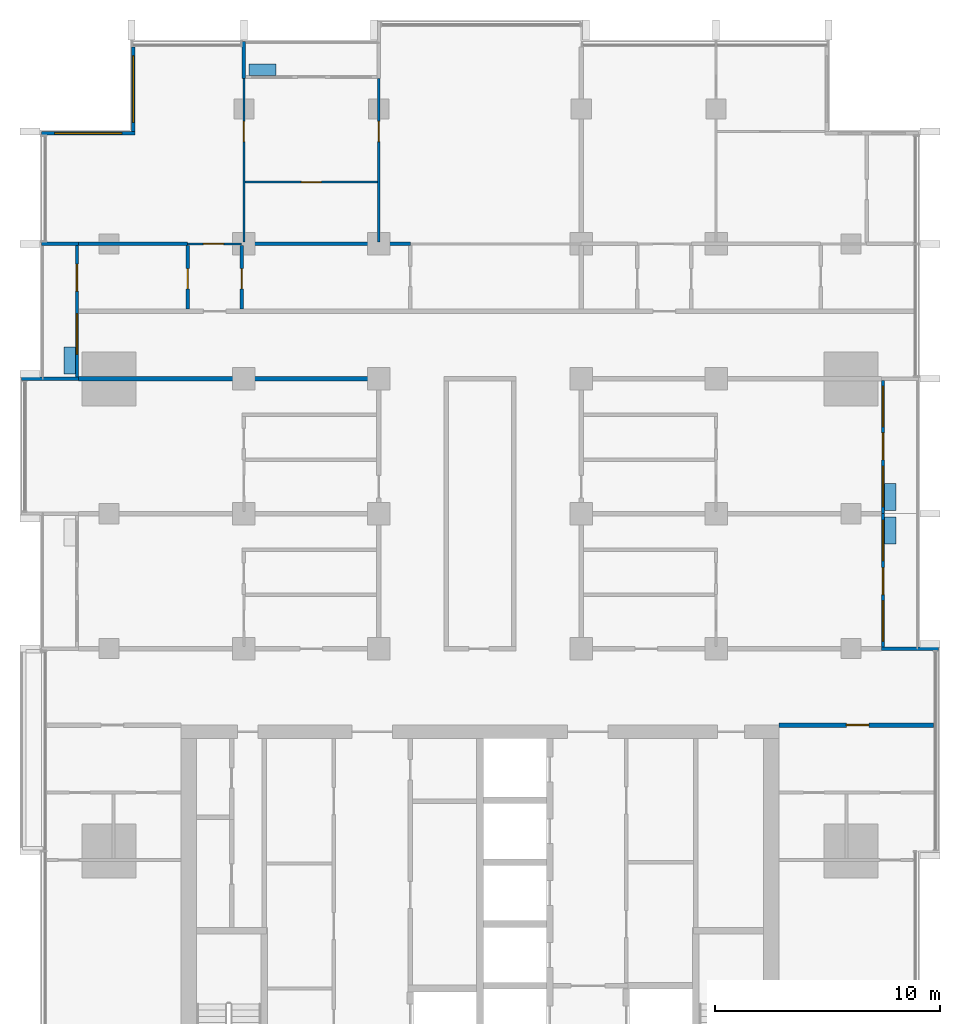
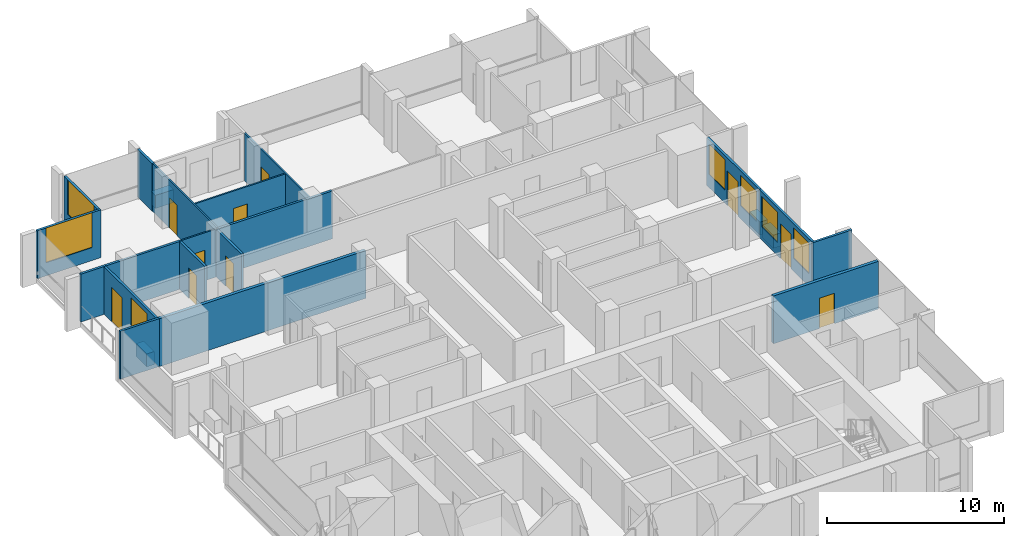
# One storey, part 10 of 17: 23 walls, 10 doors, 7 windows, 17 openings.
"""IFC4 building model written with IfcOpenShell, lengths in metres."""

import ifcopenshell
import ifcopenshell.guid

model = None  # the IFC model being written
_history = None  # IfcOwnerHistory: only IFC2X3 demands one
_inside = {}  # id of a spatial element -> (the spatial element, [elements in it])
_under = {}  # id of a project, library or spatial element -> (it, [spatial elements below it])
_declared = {}  # id of a project -> (the project, [libraries it declares])
_typed = {}  # id of a type object -> (the type object, [elements of that type])
_made_of = {}  # id of a material, layer set ... -> (it, [elements and type objects made of it])


def new_model(schema):
    """Start an empty IFC model of exactly this schema.

    Asked for "IFC4X3", IfcOpenShell would pick the latest addendum, in which some entities
    have other attributes; the version numbers below select the first issue.
    IFC2X3 requires an IfcOwnerHistory on every rooted entity: one is made here for all.
    """
    global model, _history
    if schema == "IFC4X3":
        model = ifcopenshell.file(schema_version=(4, 3, 0, 0))
    else:
        model = ifcopenshell.file(schema=schema)
    _inside.clear()
    _under.clear()
    _declared.clear()
    _typed.clear()
    _made_of.clear()
    _history = None
    if model.schema == "IFC2X3":
        org = make("IfcOrganization", Name="unknown")
        user = make(
            "IfcPersonAndOrganization",
            ThePerson=make("IfcPerson", FamilyName="unknown"),
            TheOrganization=org,
        )
        app = make(
            "IfcApplication",
            ApplicationDeveloper=org,
            Version="unknown",
            ApplicationFullName="unknown",
            ApplicationIdentifier="unknown",
        )
        _history = make(
            "IfcOwnerHistory",
            OwningUser=user,
            OwningApplication=app,
            ChangeAction="ADDED",
            CreationDate=0,
        )
    return model


def make(cls, **values):
    """One entity of the class cls with the attributes given. An attribute that is None is left unset."""
    return model.create_entity(
        cls, **{name: value for name, value in values.items() if value is not None}
    )


def rooted(cls, **values):
    """An entity with a GlobalId (a new one), such as an element, a storey or a relation."""
    return make(cls, GlobalId=ifcopenshell.guid.new(), OwnerHistory=_history, **values)


def si_unit(unit_type, name, prefix=None):
    """IfcSIUnit, for example si_unit("LENGTHUNIT", "METRE", prefix="MILLI")."""
    return make("IfcSIUnit", UnitType=unit_type, Prefix=prefix, Name=name)


def assignment(units):
    """IfcUnitAssignment: the units of a project."""
    return None if units is None else make("IfcUnitAssignment", Units=units)


def point(xyz):
    """IfcCartesianPoint."""
    return None if xyz is None else make("IfcCartesianPoint", Coordinates=xyz)


def direction(xyz):
    """IfcDirection."""
    return None if xyz is None else make("IfcDirection", DirectionRatios=xyz)


def frame(location, z_axis=None, x_axis=None):
    """IfcAxis2Placement3D, a coordinate frame: its origin and axes. An axis left out is left unset."""
    return make(
        "IfcAxis2Placement3D",
        Location=point(location),
        Axis=direction(z_axis),
        RefDirection=direction(x_axis),
    )


def frame_2d(location, x_axis=None):
    """IfcAxis2Placement2D, a coordinate frame in the plane: its origin and x axis."""
    return make(
        "IfcAxis2Placement2D", Location=point(location), RefDirection=direction(x_axis)
    )


def origin():
    """The frame at (0, 0, 0) with its axes left unset."""
    return frame((0.0, 0.0, 0.0))


def place(relative_to, where):
    """IfcLocalPlacement: puts the frame where relative to a parent placement (None: the world)."""
    return make(
        "IfcLocalPlacement", PlacementRelTo=relative_to, RelativePlacement=where
    )


def context(
    kind, dimensions, precision=None, world=None, true_north=None, identifier=None
):
    """IfcGeometricRepresentationContext, for example the 3D "Model" context."""
    return make(
        "IfcGeometricRepresentationContext",
        ContextIdentifier=identifier,
        ContextType=kind,
        CoordinateSpaceDimension=dimensions,
        Precision=precision,
        WorldCoordinateSystem=world,
        TrueNorth=true_north,
    )


def subcontext(parent, identifier, kind, view, scale=None):
    """IfcGeometricRepresentationSubContext, for example "Body" below "Model"."""
    return make(
        "IfcGeometricRepresentationSubContext",
        ContextIdentifier=identifier,
        ContextType=kind,
        ParentContext=parent,
        TargetScale=scale,
        TargetView=view,
    )


def project(units=None, contexts=None):
    """IfcProject with its units and contexts."""
    return rooted(
        "IfcProject",
        Name="project",
        RepresentationContexts=contexts,
        UnitsInContext=assignment(units),
    )


def spatial(cls, under=None, at=None, **own):
    """A site, building, storey or space (cls), placed at a placement, below another one or the project."""
    s = rooted(cls, ObjectPlacement=at, **own)
    if under is not None:
        _under.setdefault(under.id(), (under, []))[1].append(s)
    return s


def profile(cls, at=None, kind="AREA", **sizes):
    """A parametric profile (cls). Its sizes go by their IFC names, for example OverallWidth=200.0."""
    return make(cls, ProfileType=kind, Position=at, **sizes)


def rectangle(**sizes):
    """IfcRectangleProfileDef."""
    return profile("IfcRectangleProfileDef", **sizes)


def extrude(swept, where, along, depth):
    """IfcExtrudedAreaSolid: the profile swept, set in the frame where, extruded along a direction by depth."""
    return make(
        "IfcExtrudedAreaSolid",
        SweptArea=swept,
        Position=where,
        ExtrudedDirection=direction(along),
        Depth=depth,
    )


def shape(context_of_items, identifier, shape_type, items):
    """IfcShapeRepresentation: the items that make up one representation, for example the "Body"."""
    return make(
        "IfcShapeRepresentation",
        ContextOfItems=context_of_items,
        RepresentationIdentifier=identifier,
        RepresentationType=shape_type,
        Items=items,
    )


def material(Name=None, Category=None):
    """IfcMaterial."""
    return make("IfcMaterial", Name=Name, Category=Category)


def layer(
    of_material, thickness, ventilated=None, Name=None, Category=None, Priority=None
):
    """IfcMaterialLayer: one layer of a wall or slab, of a material (None: an air gap)."""
    return make(
        "IfcMaterialLayer",
        Material=of_material,
        LayerThickness=thickness,
        IsVentilated=ventilated,
        Name=Name,
        Category=Category,
        Priority=Priority,
    )


def layer_set(layers, Name=None):
    """IfcMaterialLayerSet."""
    return make("IfcMaterialLayerSet", MaterialLayers=layers, LayerSetName=Name)


def made_of(thing, what):
    """Note that an element or type object is made of a material, layer set ...; save() writes the relation."""
    if what is not None:
        _made_of.setdefault(what.id(), (what, []))[1].append(thing)
    return thing


def type_object(cls, material=None, **own):
    """A type object (cls), such as IfcWallType, which elements share."""
    return made_of(rooted(cls, **own), material)


def element(
    cls,
    number,
    at=None,
    inside=None,
    cuts=None,
    type_object=None,
    material=None,
    context=None,
    identifier="Body",
    shape_type=None,
    held_by="IfcProductDefinitionShape",
    body=None,
    shapes=None,
    **own,
):
    """One element of the class cls, such as IfcWall. Its Tag is "e" and its number.

    at: its placement. inside: the storey or other place that contains it. cuts: it is an
    opening in that element (IfcRelVoidsElement). A single representation is given by context,
    identifier, shape_type and body (its items); several are given by shapes. held_by: the class
    of the entity that holds the representations. save() writes the other relations.
    """
    e = rooted(cls, Tag="e%d" % number, ObjectPlacement=at, **own)
    if body is not None:
        shapes = [shape(context, identifier, shape_type, body)]
    if shapes is not None:
        e.Representation = make(held_by, Representations=shapes)
    if inside is not None:
        _inside.setdefault(inside.id(), (inside, []))[1].append(e)
    if cuts is not None:
        rooted(
            "IfcRelVoidsElement", RelatingBuildingElement=cuts, RelatedOpeningElement=e
        )
    if type_object is not None:
        _typed.setdefault(type_object.id(), (type_object, []))[1].append(e)
    return made_of(e, material)


def fill(opening, filler):
    """IfcRelFillsElement: the door or window that sits in an opening."""
    return rooted(
        "IfcRelFillsElement",
        RelatingOpeningElement=opening,
        RelatedBuildingElement=filler,
    )


def aggregate(whole, parts):
    """IfcRelAggregates: a whole, such as a stair, and the parts it consists of."""
    return rooted("IfcRelAggregates", RelatingObject=whole, RelatedObjects=parts)


def save(model, path):
    """Write the relations noted so far, then the file.

    IfcRelAggregates (storeys below a building ...), IfcRelContainedInSpatialStructure (elements
    in a storey), IfcRelDefinesByType, IfcRelAssociatesMaterial and IfcRelDeclares: one each for
    every whole, place, type object, material and project.
    """
    for whole, parts in _under.values():
        aggregate(whole, parts)
    for where, things in _inside.values():
        rooted(
            "IfcRelContainedInSpatialStructure",
            RelatedElements=things,
            RelatingStructure=where,
        )
    for kind, things in _typed.values():
        rooted("IfcRelDefinesByType", RelatedObjects=things, RelatingType=kind)
    for what, things in _made_of.values():
        rooted("IfcRelAssociatesMaterial", RelatedObjects=things, RelatingMaterial=what)
    for by, libraries in _declared.values():
        rooted("IfcRelDeclares", RelatingContext=by, RelatedDefinitions=libraries)
    model.write(path)


model = new_model("IFC4")

# Units and contexts
model_context = context("Model", 3, precision=1e-05, world=origin(), true_north=direction((0.0, 1.0)))
body_context = subcontext(model_context, "Body", "Model", "MODEL_VIEW")
ifc_project = project(units=[si_unit("LENGTHUNIT", "METRE"), si_unit("AREAUNIT", "SQUARE_METRE"), si_unit("VOLUMEUNIT", "CUBIC_METRE"), si_unit("PLANEANGLEUNIT", "RADIAN"), si_unit("MASSUNIT", "GRAM", prefix="KILO")], contexts=[model_context])

# Site, building, storey
site_placement = place(None, origin())
site = spatial("IfcSite", under=ifc_project, at=site_placement, CompositionType="ELEMENT")
building_placement = place(site_placement, origin())
building = spatial("IfcBuilding", under=site, at=building_placement, Name="Finial Court Residences", CompositionType="ELEMENT")
storey_placement = place(building_placement, frame((0.0, 0.0, 167.300048828125)))
storey = spatial("IfcBuildingStorey", under=building, at=storey_placement, Name="L41", CompositionType="ELEMENT", Elevation=167.300048828125)

# Wall, opening, door
ifc_material_1 = material(Name="Gypsum board")
ifc_layer_1 = layer(ifc_material_1, 0.02490234375)
ifc_material_2 = material(Name="Acoustic mineral wool in double frame")
ifc_layer_2 = layer(ifc_material_2, 0.14990234375)
ifc_layer_3 = layer(ifc_material_1, 0.02490234375)
ifc_layer_set_1 = layer_set([ifc_layer_1, ifc_layer_2, ifc_layer_3], Name="Corridor wall 200, 1 hour")
wall_type_1 = type_object("IfcWallType", Name="Corridor wall 200, 1 hour", PredefinedType="PARTITIONING", material=ifc_layer_set_1)
wall_1_placement = place(storey_placement, frame((13.300048828125, -7.89990234375, 0.0), z_axis=(0.0, 0.0, 1.0), x_axis=(1.0, 0.0, 0.0)))
wall_1 = element("IfcWall", 1, at=wall_1_placement, inside=storey, type_object=wall_type_1, Name="Partition L41-005", PredefinedType="PARTITIONING", context=body_context, shape_type="SweptSolid", body=[
    extrude(rectangle(XDim=6.862548828125, YDim=0.199951171875, at=frame_2d((3.43115234375, 0.0))), origin(), (0.0, 0.0, 1.0), 3.300048828125),
])
opening_1_placement = place(wall_1_placement, frame((3.0, 0.0, 0.0)))
opening_1 = element("IfcOpeningElement", 2, at=opening_1_placement, cuts=wall_1, Name="Opening L41-D008", PredefinedType="OPENING", context=body_context, shape_type="SweptSolid", body=[
    extrude(rectangle(XDim=1.0, YDim=2.10009765625, at=frame_2d((0.5, 1.050048828125))), frame((0.0, 0.10986328125, 0.0), z_axis=(0.0, -1.0, 0.0), x_axis=(1.0, 0.0, 0.0)), (0.0, 0.0, 1.0), 0.219970703125),
])
ifc_material_3 = material(Name="Timber door leaf in hollow metal frame", Category="wood")
door_type_1 = type_object("IfcDoorType", Name="Fire door set 1000 x 2100, 30 minutes", OperationType="SINGLE_SWING_LEFT", PredefinedType="DOOR", material=ifc_material_3)
door_1_placement = place(opening_1_placement, origin())
door_1 = element("IfcDoor", 3, at=door_1_placement, inside=storey, type_object=door_type_1, Name="Door L41-D008", OperationType="SINGLE_SWING_RIGHT", OverallHeight=2.10009765625, OverallWidth=1.0, PredefinedType="DOOR", context=body_context, shape_type="SweptSolid", body=[
    extrude(rectangle(XDim=1.0, YDim=2.10009765625, at=frame_2d((0.5, 1.050048828125))), frame((0.0, 0.02490234375, 0.0), z_axis=(0.0, -1.0, 0.0), x_axis=(1.0, 0.0, 0.0)), (0.0, 0.0, 1.0), 0.050048828125),
])
fill(opening_1, door_1)

# Wall
wall_2_placement = place(storey_placement, frame((-17.85009765625, 7.5, 0.0), z_axis=(0.0, 0.0, 1.0), x_axis=(1.0, 0.0, 0.0)))
element("IfcWall", 4, at=wall_2_placement, inside=storey, type_object=wall_type_1, Name="Partition L41-019", PredefinedType="PARTITIONING", context=body_context, shape_type="SweptSolid", body=[
    extrude(rectangle(XDim=13.4501953125, YDim=0.199951171875, at=frame_2d((6.72509765625, 0.0))), origin(), (0.0, 0.0, 1.0), 3.300048828125),
])

# Wall, opening, door
ifc_layer_4 = layer(ifc_material_1, 0.012451171875)
ifc_material_4 = material(Name="Mineral wool in light-gauge frame")
ifc_layer_5 = layer(ifc_material_4, 0.074951171875)
ifc_layer_6 = layer(ifc_material_1, 0.012451171875)
ifc_layer_set_2 = layer_set([ifc_layer_4, ifc_layer_5, ifc_layer_6], Name="Gypsum board partition 100")
wall_type_2 = type_object("IfcWallType", Name="Gypsum board partition 100", PredefinedType="PARTITIONING", material=ifc_layer_set_2)
wall_3_placement = place(storey_placement, frame((-13.0, 13.5, 0.0), z_axis=(0.0, 0.0, 1.0), x_axis=(1.0, 0.0, 0.0)))
wall_3 = element("IfcWall", 5, at=wall_3_placement, inside=storey, type_object=wall_type_2, Name="Partition L41-023", PredefinedType="PARTITIONING", context=body_context, shape_type="SweptSolid", body=[
    extrude(rectangle(XDim=2.39990234375, YDim=0.10009765625, at=frame_2d((1.199951171875, 0.0))), origin(), (0.0, 0.0, 1.0), 3.300048828125),
])
opening_2_placement = place(wall_3_placement, frame((0.699951171875, 0.0, 0.0)))
opening_2 = element("IfcOpeningElement", 6, at=opening_2_placement, cuts=wall_3, Name="Opening L41-D014", PredefinedType="OPENING", context=body_context, shape_type="SweptSolid", body=[
    extrude(rectangle(XDim=0.89990234375, YDim=2.10009765625, at=frame_2d((0.449951171875, 1.050048828125))), frame((0.0, 0.06005859375, 0.0), z_axis=(0.0, -1.0, 0.0), x_axis=(1.0, 0.0, 0.0)), (0.0, 0.0, 1.0), 0.1201171875),
])
ifc_material_5 = material(Name="Timber door leaf in timber frame", Category="wood")
door_type_2 = type_object("IfcDoorType", Name="Door set 900 x 2100", OperationType="SINGLE_SWING_LEFT", PredefinedType="DOOR", material=ifc_material_5)
door_2_placement = place(opening_2_placement, origin())
door_2 = element("IfcDoor", 7, at=door_2_placement, inside=storey, type_object=door_type_2, Name="Door L41-D014", OperationType="SINGLE_SWING_RIGHT", OverallHeight=2.10009765625, OverallWidth=0.89990234375, PredefinedType="DOOR", context=body_context, shape_type="SweptSolid", body=[
    extrude(rectangle(XDim=0.89990234375, YDim=2.10009765625, at=frame_2d((0.449951171875, 1.050048828125))), frame((0.0, 0.02490234375, 0.0), z_axis=(0.0, -1.0, 0.0), x_axis=(1.0, 0.0, 0.0)), (0.0, 0.0, 1.0), 0.050048828125),
])
fill(opening_2, door_2)

wall_4_placement = place(storey_placement, frame((-10.449951171875, 16.25, 0.0), z_axis=(0.0, 0.0, 1.0), x_axis=(1.0, 0.0, 0.0)))
wall_4 = element("IfcWall", 8, at=wall_4_placement, inside=storey, type_object=wall_type_2, Name="Partition L41-032", PredefinedType="PARTITIONING", context=body_context, shape_type="SweptSolid", body=[
    extrude(rectangle(XDim=5.89990234375, YDim=0.10009765625, at=frame_2d((2.949951171875, 0.0))), origin(), (0.0, 0.0, 1.0), 3.300048828125),
])
opening_3_placement = place(wall_4_placement, frame((2.5, 0.0, 0.0)))
opening_3 = element("IfcOpeningElement", 9, at=opening_3_placement, cuts=wall_4, Name="Opening L41-D016", PredefinedType="OPENING", context=body_context, shape_type="SweptSolid", body=[
    extrude(rectangle(XDim=0.89990234375, YDim=2.10009765625, at=frame_2d((0.449951171875, 1.050048828125))), frame((0.0, 0.06005859375, 0.0), z_axis=(0.0, -1.0, 0.0), x_axis=(1.0, 0.0, 0.0)), (0.0, 0.0, 1.0), 0.1201171875),
])
door_3_placement = place(opening_3_placement, origin())
door_3 = element("IfcDoor", 10, at=door_3_placement, inside=storey, type_object=door_type_2, Name="Door L41-D016", OperationType="SINGLE_SWING_RIGHT", OverallHeight=2.10009765625, OverallWidth=0.89990234375, PredefinedType="DOOR", context=body_context, shape_type="SweptSolid", body=[
    extrude(rectangle(XDim=0.89990234375, YDim=2.10009765625, at=frame_2d((0.449951171875, 1.050048828125))), frame((0.0, 0.02490234375, 0.0), z_axis=(0.0, -1.0, 0.0), x_axis=(1.0, 0.0, 0.0)), (0.0, 0.0, 1.0), 0.050048828125),
])
fill(opening_3, door_3)

wall_5_placement = place(storey_placement, frame((-10.5, 13.574951171875, 0.0), z_axis=(0.0, 0.0, 1.0), x_axis=(0.0, 1.0, 0.0)))
wall_5 = element("IfcWall", 11, at=wall_5_placement, inside=storey, type_object=wall_type_2, Name="Partition L41-039", PredefinedType="PARTITIONING", context=body_context, shape_type="SweptSolid", body=[
    extrude(rectangle(XDim=7.275146484375, YDim=0.10009765625, at=frame_2d((3.6376953125, 0.0))), origin(), (0.0, 0.0, 1.0), 3.300048828125),
])
opening_4_placement = place(wall_5_placement, frame((4.47509765625, 0.0, 0.0)))
opening_4 = element("IfcOpeningElement", 12, at=opening_4_placement, cuts=wall_5, Name="Opening L41-D022", PredefinedType="OPENING", context=body_context, shape_type="SweptSolid", body=[
    extrude(rectangle(XDim=0.89990234375, YDim=2.10009765625, at=frame_2d((0.449951171875, 1.050048828125))), frame((0.0, 0.06005859375, 0.0), z_axis=(0.0, -1.0, 0.0), x_axis=(1.0, 0.0, 0.0)), (0.0, 0.0, 1.0), 0.1201171875),
])
door_4_placement = place(opening_4_placement, origin())
door_4 = element("IfcDoor", 13, at=door_4_placement, inside=storey, type_object=door_type_2, Name="Door L41-D022", OperationType="SINGLE_SWING_RIGHT", OverallHeight=2.10009765625, OverallWidth=0.89990234375, PredefinedType="DOOR", context=body_context, shape_type="SweptSolid", body=[
    extrude(rectangle(XDim=0.89990234375, YDim=2.10009765625, at=frame_2d((0.449951171875, 1.050048828125))), frame((0.0, 0.02490234375, 0.0), z_axis=(0.0, -1.0, 0.0), x_axis=(1.0, 0.0, 0.0)), (0.0, 0.0, 1.0), 0.050048828125),
])
fill(opening_4, door_4)

wall_6_placement = place(storey_placement, frame((-4.5, 13.574951171875, 0.0), z_axis=(0.0, 0.0, 1.0), x_axis=(0.0, 1.0, 0.0)))
wall_6 = element("IfcWall", 14, at=wall_6_placement, inside=storey, type_object=wall_type_2, Name="Partition L41-043", PredefinedType="PARTITIONING", context=body_context, shape_type="SweptSolid", body=[
    extrude(rectangle(XDim=7.275146484375, YDim=0.10009765625, at=frame_2d((3.6376953125, 0.0))), origin(), (0.0, 0.0, 1.0), 3.300048828125),
])
opening_5_placement = place(wall_6_placement, frame((4.47509765625, 0.0, 0.0)))
opening_5 = element("IfcOpeningElement", 15, at=opening_5_placement, cuts=wall_6, Name="Opening L41-D026", PredefinedType="OPENING", context=body_context, shape_type="SweptSolid", body=[
    extrude(rectangle(XDim=0.89990234375, YDim=2.10009765625, at=frame_2d((0.449951171875, 1.050048828125))), frame((0.0, 0.06005859375, 0.0), z_axis=(0.0, -1.0, 0.0), x_axis=(1.0, 0.0, 0.0)), (0.0, 0.0, 1.0), 0.1201171875),
])
door_5_placement = place(opening_5_placement, origin())
door_5 = element("IfcDoor", 16, at=door_5_placement, inside=storey, type_object=door_type_2, Name="Door L41-D026", OperationType="SINGLE_SWING_RIGHT", OverallHeight=2.10009765625, OverallWidth=0.89990234375, PredefinedType="DOOR", context=body_context, shape_type="SweptSolid", body=[
    extrude(rectangle(XDim=0.89990234375, YDim=2.10009765625, at=frame_2d((0.449951171875, 1.050048828125))), frame((0.0, 0.02490234375, 0.0), z_axis=(0.0, -1.0, 0.0), x_axis=(1.0, 0.0, 0.0)), (0.0, 0.0, 1.0), 0.050048828125),
])
fill(opening_5, door_5)

# Walls
ifc_material_6 = material(Name="Moisture-resistant gypsum board")
ifc_layer_7 = layer(ifc_material_6, 0.012451171875)
ifc_layer_8 = layer(ifc_material_4, 0.125)
ifc_layer_9 = layer(ifc_material_6, 0.012451171875)
ifc_layer_set_3 = layer_set([ifc_layer_7, ifc_layer_8, ifc_layer_9], Name="Gypsum board wet-area partition 150")
wall_type_3 = type_object("IfcWallType", Name="Gypsum board wet-area partition 150", PredefinedType="PARTITIONING", material=ifc_layer_set_3)
wall_7_placement = place(storey_placement, frame((-17.85009765625, 13.5, 0.0), z_axis=(0.0, 0.0, 1.0), x_axis=(1.0, 0.0, 0.0)))
element("IfcWall", 17, at=wall_7_placement, inside=storey, type_object=wall_type_3, Name="Partition L41-027", PredefinedType="PARTITIONING", context=body_context, shape_type="SweptSolid", body=[
    extrude(rectangle(XDim=4.85009765625, YDim=0.14990234375, at=frame_2d((2.425048828125, 0.0))), origin(), (0.0, 0.0, 1.0), 3.300048828125),
])
wall_8_placement = place(storey_placement, frame((-10.5, 13.5, 0.0), z_axis=(0.0, 0.0, 1.0), x_axis=(1.0, 0.0, 0.0)))
element("IfcWall", 18, at=wall_8_placement, inside=storey, type_object=wall_type_3, Name="Partition L41-028", PredefinedType="PARTITIONING", context=body_context, shape_type="SweptSolid", body=[
    extrude(rectangle(XDim=7.39990234375, YDim=0.14990234375, at=frame_2d((3.699951171875, 0.0))), origin(), (0.0, 0.0, 1.0), 3.300048828125),
])

# Wall, opening, door
wall_9_placement = place(storey_placement, frame((-13.0, 10.60009765625, 0.0), z_axis=(0.0, 0.0, 1.0), x_axis=(0.0, 1.0, 0.0)))
wall_9 = element("IfcWall", 19, at=wall_9_placement, inside=storey, type_object=wall_type_3, Name="Partition L41-035", PredefinedType="PARTITIONING", context=body_context, shape_type="SweptSolid", body=[
    extrude(rectangle(XDim=2.824951171875, YDim=0.14990234375, at=frame_2d((1.41259765625, 0.0))), origin(), (0.0, 0.0, 1.0), 3.300048828125),
])
opening_6_placement = place(wall_9_placement, frame((0.89990234375, 0.0, 0.0)))
opening_6 = element("IfcOpeningElement", 20, at=opening_6_placement, cuts=wall_9, Name="Opening L41-D018", PredefinedType="OPENING", context=body_context, shape_type="SweptSolid", body=[
    extrude(rectangle(XDim=0.89990234375, YDim=2.10009765625, at=frame_2d((0.449951171875, 1.050048828125))), frame((0.0, 0.0849609375, 0.0), z_axis=(0.0, -1.0, 0.0), x_axis=(1.0, 0.0, 0.0)), (0.0, 0.0, 1.0), 0.169921875),
])
door_6_placement = place(opening_6_placement, origin())
door_6 = element("IfcDoor", 21, at=door_6_placement, inside=storey, type_object=door_type_2, Name="Door L41-D018", OperationType="SINGLE_SWING_RIGHT", OverallHeight=2.10009765625, OverallWidth=0.89990234375, PredefinedType="DOOR", context=body_context, shape_type="SweptSolid", body=[
    extrude(rectangle(XDim=0.89990234375, YDim=2.10009765625, at=frame_2d((0.449951171875, 1.050048828125))), frame((0.0, 0.02490234375, 0.0), z_axis=(0.0, -1.0, 0.0), x_axis=(1.0, 0.0, 0.0)), (0.0, 0.0, 1.0), 0.050048828125),
])
fill(opening_6, door_6)

wall_10_placement = place(storey_placement, frame((-10.60009765625, 10.60009765625, 0.0), z_axis=(0.0, 0.0, 1.0), x_axis=(0.0, 1.0, 0.0)))
wall_10 = element("IfcWall", 22, at=wall_10_placement, inside=storey, type_object=wall_type_3, Name="Partition L41-036", PredefinedType="PARTITIONING", context=body_context, shape_type="SweptSolid", body=[
    extrude(rectangle(XDim=2.824951171875, YDim=0.14990234375, at=frame_2d((1.41259765625, 0.0))), origin(), (0.0, 0.0, 1.0), 3.300048828125),
])
opening_7_placement = place(wall_10_placement, frame((0.89990234375, 0.0, 0.0)))
opening_7 = element("IfcOpeningElement", 23, at=opening_7_placement, cuts=wall_10, Name="Opening L41-D019", PredefinedType="OPENING", context=body_context, shape_type="SweptSolid", body=[
    extrude(rectangle(XDim=0.89990234375, YDim=2.10009765625, at=frame_2d((0.449951171875, 1.050048828125))), frame((0.0, 0.0849609375, 0.0), z_axis=(0.0, -1.0, 0.0), x_axis=(1.0, 0.0, 0.0)), (0.0, 0.0, 1.0), 0.169921875),
])
door_7_placement = place(opening_7_placement, origin())
door_7 = element("IfcDoor", 24, at=door_7_placement, inside=storey, type_object=door_type_2, Name="Door L41-D019", OperationType="SINGLE_SWING_LEFT", OverallHeight=2.10009765625, OverallWidth=0.89990234375, PredefinedType="DOOR", context=body_context, shape_type="SweptSolid", body=[
    extrude(rectangle(XDim=0.89990234375, YDim=2.10009765625, at=frame_2d((0.449951171875, 1.050048828125))), frame((0.0, 0.02490234375, 0.0), z_axis=(0.0, -1.0, 0.0), x_axis=(1.0, 0.0, 0.0)), (0.0, 0.0, 1.0), 0.050048828125),
])
fill(opening_7, door_7)

# Wall, opening, window
ifc_material_7 = material(Name="Natural limestone", Category="masonry")
ifc_layer_10 = layer(ifc_material_7, 0.14990234375)
ifc_layer_set_4 = layer_set([ifc_layer_10], Name="Limestone clad wall 150")
wall_type_4 = type_object("IfcWallType", Name="Limestone clad wall 150", PredefinedType="SOLIDWALL", material=ifc_layer_set_4)
wall_11_placement = place(storey_placement, frame((-15.425048828125, 18.5, 0.0), z_axis=(0.0, 0.0, 1.0), x_axis=(0.0, 1.0, 0.0)))
wall_11 = element("IfcWall", 25, at=wall_11_placement, inside=storey, type_object=wall_type_4, Name="E-L41-NWW16", PredefinedType="SOLIDWALL", context=body_context, shape_type="SweptSolid", body=[
    extrude(rectangle(XDim=3.762451171875, YDim=0.14990234375, at=frame_2d((1.88134765625, 0.0))), origin(), (0.0, 0.0, 1.0), 3.300048828125),
])
opening_8_placement = place(wall_11_placement, frame((0.4013671875, 0.0, 0.89990234375)))
opening_8 = element("IfcOpeningElement", 26, at=opening_8_placement, cuts=wall_11, Name="Opening WE41-05", PredefinedType="OPENING", context=body_context, shape_type="SweptSolid", body=[
    extrude(rectangle(XDim=2.9599609375, YDim=2.39990234375, at=frame_2d((1.47998046875, 1.199951171875))), frame((0.0, 0.0849609375, 0.0), z_axis=(0.0, -1.0, 0.0), x_axis=(1.0, 0.0, 0.0)), (0.0, 0.0, 1.0), 0.169921875),
])
ifc_material_8 = material(Name="Clear low-e glass", Category="glass")
window_type_1 = type_object("IfcWindowType", Name="Corner window 2960 x 2400", PartitioningType="SINGLE_PANEL", PredefinedType="WINDOW", material=ifc_material_8)
window_1_placement = place(opening_8_placement, origin())
window_1 = element("IfcWindow", 27, at=window_1_placement, inside=storey, type_object=window_type_1, Name="E-L41-NWW16-W1", OverallHeight=2.39990234375, OverallWidth=2.9599609375, PartitioningType="SINGLE_PANEL", PredefinedType="WINDOW", context=body_context, shape_type="SweptSolid", body=[
    extrude(rectangle(XDim=2.9599609375, YDim=2.39990234375, at=frame_2d((1.47998046875, 1.199951171875))), frame((0.0, 0.030029296875, 0.0), z_axis=(0.0, -1.0, 0.0), x_axis=(1.0, 0.0, 0.0)), (0.0, 0.0, 1.0), 0.06005859375),
])
fill(opening_8, window_1)

wall_12_placement = place(storey_placement, frame((-19.5, 18.425048828125, 0.0), z_axis=(0.0, 0.0, 1.0), x_axis=(1.0, 0.0, 0.0)))
wall_12 = element("IfcWall", 28, at=wall_12_placement, inside=storey, type_object=wall_type_4, Name="E-L41-NWN17", PredefinedType="SOLIDWALL", context=body_context, shape_type="SweptSolid", body=[
    extrude(rectangle(XDim=4.14990234375, YDim=0.14990234375, at=frame_2d((2.074951171875, 0.0))), origin(), (0.0, 0.0, 1.0), 3.300048828125),
])
opening_9_placement = place(wall_12_placement, frame((0.574951171875, 0.0, 0.89990234375)))
opening_9 = element("IfcOpeningElement", 29, at=opening_9_placement, cuts=wall_12, Name="Opening WE41-06", PredefinedType="OPENING", context=body_context, shape_type="SweptSolid", body=[
    extrude(rectangle(XDim=3.0, YDim=2.39990234375, at=frame_2d((1.5, 1.199951171875))), frame((0.0, 0.0849609375, 0.0), z_axis=(0.0, -1.0, 0.0), x_axis=(1.0, 0.0, 0.0)), (0.0, 0.0, 1.0), 0.169921875),
])
window_type_2 = type_object("IfcWindowType", Name="Corner window 3000 x 2400", PartitioningType="SINGLE_PANEL", PredefinedType="WINDOW", material=ifc_material_8)
window_2_placement = place(opening_9_placement, origin())
window_2 = element("IfcWindow", 30, at=window_2_placement, inside=storey, type_object=window_type_2, Name="E-L41-NWN17-W1", OverallHeight=2.39990234375, OverallWidth=3.0, PartitioningType="SINGLE_PANEL", PredefinedType="WINDOW", context=body_context, shape_type="SweptSolid", body=[
    extrude(rectangle(XDim=3.0, YDim=2.39990234375, at=frame_2d((1.5, 1.199951171875))), frame((0.0, 0.030029296875, 0.0), z_axis=(0.0, -1.0, 0.0), x_axis=(1.0, 0.0, 0.0)), (0.0, 0.0, 1.0), 0.06005859375),
])
fill(opening_9, window_2)

# Walls
wall_13_placement = place(storey_placement, frame((-10.5, 20.85009765625, 0.0), z_axis=(0.0, 0.0, 1.0), x_axis=(0.0, 1.0, 0.0)))
element("IfcWall", 31, at=wall_13_placement, inside=storey, type_object=wall_type_4, Name="E-L41-BALN2-P1", PredefinedType="SOLIDWALL", context=body_context, shape_type="SweptSolid", body=[
    extrude(rectangle(XDim=1.64990234375, YDim=0.14990234375, at=frame_2d((0.824951171875, 0.0))), origin(), (0.0, 0.0, 1.0), 3.300048828125),
])
wall_14_placement = place(storey_placement, frame((17.85009765625, -4.5, 0.0), z_axis=(0.0, 0.0, 1.0), x_axis=(1.0, 0.0, 0.0)))
element("IfcWall", 32, at=wall_14_placement, inside=storey, type_object=wall_type_4, Name="E-L41-BALE3-P1", PredefinedType="SOLIDWALL", context=body_context, shape_type="SweptSolid", body=[
    extrude(rectangle(XDim=2.5498046875, YDim=0.14990234375, at=frame_2d((1.27490234375, 0.0))), origin(), (0.0, 0.0, 1.0), 3.300048828125),
])

# Wall, openings, door, windows
wall_15_placement = place(storey_placement, frame((17.925048828125, 1.5, 0.0), z_axis=(0.0, 0.0, 1.0), x_axis=(0.0, -1.0, 0.0)))
wall_15 = element("IfcWall", 33, at=wall_15_placement, inside=storey, type_object=wall_type_4, Name="E-L41-L41-BALE3-W", PredefinedType="SOLIDWALL", context=body_context, shape_type="SweptSolid", body=[
    extrude(rectangle(XDim=5.925048828125, YDim=0.14990234375, at=frame_2d((2.96240234375, 0.0))), origin(), (0.0, 0.0, 1.0), 3.300048828125),
])
opening_10_placement = place(wall_15_placement, frame((2.39990234375, 0.0, 0.0)))
opening_10 = element("IfcOpeningElement", 34, at=opening_10_placement, cuts=wall_15, Name="Opening DE41-02", PredefinedType="OPENING", context=body_context, shape_type="SweptSolid", body=[
    extrude(rectangle(XDim=1.199951171875, YDim=2.39990234375, at=frame_2d((0.60009765625, 1.199951171875))), frame((0.0, 0.0849609375, 0.0), z_axis=(0.0, -1.0, 0.0), x_axis=(1.0, 0.0, 0.0)), (0.0, 0.0, 1.0), 0.169921875),
])
opening_11_placement = place(wall_15_placement, frame((3.862548828125, 0.0, 0.89990234375)))
opening_11 = element("IfcOpeningElement", 35, at=opening_11_placement, cuts=wall_15, Name="Opening WE41-12", PredefinedType="OPENING", context=body_context, shape_type="SweptSolid", body=[
    extrude(rectangle(XDim=1.800048828125, YDim=2.10009765625, at=frame_2d((0.89990234375, 1.050048828125))), frame((0.0, 0.0849609375, 0.0), z_axis=(0.0, -1.0, 0.0), x_axis=(1.0, 0.0, 0.0)), (0.0, 0.0, 1.0), 0.169921875),
])
opening_12_placement = place(wall_15_placement, frame((0.300048828125, 0.0, 0.89990234375)))
opening_12 = element("IfcOpeningElement", 36, at=opening_12_placement, cuts=wall_15, Name="Opening WE41-13", PredefinedType="OPENING", context=body_context, shape_type="SweptSolid", body=[
    extrude(rectangle(XDim=1.800048828125, YDim=2.10009765625, at=frame_2d((0.89990234375, 1.050048828125))), frame((0.0, 0.0849609375, 0.0), z_axis=(0.0, -1.0, 0.0), x_axis=(1.0, 0.0, 0.0)), (0.0, 0.0, 1.0), 0.169921875),
])
ifc_material_9 = material(Name="Bronze anodised aluminium", Category="aluminium")
door_type_3 = type_object("IfcDoorType", Name="Balcony door 1200 x 2400", OperationType="SINGLE_SWING_LEFT", PredefinedType="DOOR", material=ifc_material_9)
door_8_placement = place(opening_10_placement, origin())
door_8 = element("IfcDoor", 37, at=door_8_placement, inside=storey, type_object=door_type_3, Name="E-L41-L41-BALE3-W-D", OperationType="SINGLE_SWING_LEFT", OverallHeight=2.39990234375, OverallWidth=1.199951171875, PredefinedType="DOOR", context=body_context, shape_type="SweptSolid", body=[
    extrude(rectangle(XDim=1.199951171875, YDim=2.39990234375, at=frame_2d((0.60009765625, 1.199951171875))), frame((0.0, 0.02490234375, 0.0), z_axis=(0.0, -1.0, 0.0), x_axis=(1.0, 0.0, 0.0)), (0.0, 0.0, 1.0), 0.050048828125),
])
fill(opening_10, door_8)
window_type_3 = type_object("IfcWindowType", Name="Balcony window 1800 x 2100", PartitioningType="SINGLE_PANEL", PredefinedType="WINDOW", material=ifc_material_8)
window_3_placement = place(opening_11_placement, origin())
window_3 = element("IfcWindow", 38, at=window_3_placement, inside=storey, type_object=window_type_3, Name="E-L41-L41-BALE3-W-W1", OverallHeight=2.10009765625, OverallWidth=1.800048828125, PartitioningType="SINGLE_PANEL", PredefinedType="WINDOW", context=body_context, shape_type="SweptSolid", body=[
    extrude(rectangle(XDim=1.800048828125, YDim=2.10009765625, at=frame_2d((0.89990234375, 1.050048828125))), frame((0.0, 0.030029296875, 0.0), z_axis=(0.0, -1.0, 0.0), x_axis=(1.0, 0.0, 0.0)), (0.0, 0.0, 1.0), 0.06005859375),
])
fill(opening_11, window_3)
window_4_placement = place(opening_12_placement, origin())
window_4 = element("IfcWindow", 39, at=window_4_placement, inside=storey, type_object=window_type_3, Name="E-L41-L41-BALE3-W-W2", OverallHeight=2.10009765625, OverallWidth=1.800048828125, PartitioningType="SINGLE_PANEL", PredefinedType="WINDOW", context=body_context, shape_type="SweptSolid", body=[
    extrude(rectangle(XDim=1.800048828125, YDim=2.10009765625, at=frame_2d((0.89990234375, 1.050048828125))), frame((0.0, 0.030029296875, 0.0), z_axis=(0.0, -1.0, 0.0), x_axis=(1.0, 0.0, 0.0)), (0.0, 0.0, 1.0), 0.06005859375),
])
fill(opening_12, window_4)

wall_16_placement = place(storey_placement, frame((17.925048828125, 7.425048828125, 0.0), z_axis=(0.0, 0.0, 1.0), x_axis=(0.0, -1.0, 0.0)))
wall_16 = element("IfcWall", 40, at=wall_16_placement, inside=storey, type_object=wall_type_4, Name="E-L41-L41-BALE4-W", PredefinedType="SOLIDWALL", context=body_context, shape_type="SweptSolid", body=[
    extrude(rectangle(XDim=5.925048828125, YDim=0.14990234375, at=frame_2d((2.96240234375, 0.0))), origin(), (0.0, 0.0, 1.0), 3.300048828125),
])
opening_13_placement = place(wall_16_placement, frame((2.324951171875, 0.0, 0.0)))
opening_13 = element("IfcOpeningElement", 41, at=opening_13_placement, cuts=wall_16, Name="Opening DE41-03", PredefinedType="OPENING", context=body_context, shape_type="SweptSolid", body=[
    extrude(rectangle(XDim=1.199951171875, YDim=2.39990234375, at=frame_2d((0.60009765625, 1.199951171875))), frame((0.0, 0.0849609375, 0.0), z_axis=(0.0, -1.0, 0.0), x_axis=(1.0, 0.0, 0.0)), (0.0, 0.0, 1.0), 0.169921875),
])
opening_14_placement = place(wall_16_placement, frame((3.824951171875, 0.0, 0.89990234375)))
opening_14 = element("IfcOpeningElement", 42, at=opening_14_placement, cuts=wall_16, Name="Opening WE41-14", PredefinedType="OPENING", context=body_context, shape_type="SweptSolid", body=[
    extrude(rectangle(XDim=1.800048828125, YDim=2.10009765625, at=frame_2d((0.89990234375, 1.050048828125))), frame((0.0, 0.0849609375, 0.0), z_axis=(0.0, -1.0, 0.0), x_axis=(1.0, 0.0, 0.0)), (0.0, 0.0, 1.0), 0.169921875),
])
opening_15_placement = place(wall_16_placement, frame((0.262451171875, 0.0, 0.89990234375)))
opening_15 = element("IfcOpeningElement", 43, at=opening_15_placement, cuts=wall_16, Name="Opening WE41-15", PredefinedType="OPENING", context=body_context, shape_type="SweptSolid", body=[
    extrude(rectangle(XDim=1.800048828125, YDim=2.10009765625, at=frame_2d((0.89990234375, 1.050048828125))), frame((0.0, 0.0849609375, 0.0), z_axis=(0.0, -1.0, 0.0), x_axis=(1.0, 0.0, 0.0)), (0.0, 0.0, 1.0), 0.169921875),
])
door_9_placement = place(opening_13_placement, origin())
door_9 = element("IfcDoor", 44, at=door_9_placement, inside=storey, type_object=door_type_3, Name="E-L41-L41-BALE4-W-D", OperationType="SINGLE_SWING_RIGHT", OverallHeight=2.39990234375, OverallWidth=1.199951171875, PredefinedType="DOOR", context=body_context, shape_type="SweptSolid", body=[
    extrude(rectangle(XDim=1.199951171875, YDim=2.39990234375, at=frame_2d((0.60009765625, 1.199951171875))), frame((0.0, 0.02490234375, 0.0), z_axis=(0.0, -1.0, 0.0), x_axis=(1.0, 0.0, 0.0)), (0.0, 0.0, 1.0), 0.050048828125),
])
fill(opening_13, door_9)
window_5_placement = place(opening_14_placement, origin())
window_5 = element("IfcWindow", 45, at=window_5_placement, inside=storey, type_object=window_type_3, Name="E-L41-L41-BALE4-W-W1", OverallHeight=2.10009765625, OverallWidth=1.800048828125, PartitioningType="SINGLE_PANEL", PredefinedType="WINDOW", context=body_context, shape_type="SweptSolid", body=[
    extrude(rectangle(XDim=1.800048828125, YDim=2.10009765625, at=frame_2d((0.89990234375, 1.050048828125))), frame((0.0, 0.030029296875, 0.0), z_axis=(0.0, -1.0, 0.0), x_axis=(1.0, 0.0, 0.0)), (0.0, 0.0, 1.0), 0.06005859375),
])
fill(opening_14, window_5)
window_6_placement = place(opening_15_placement, origin())
window_6 = element("IfcWindow", 46, at=window_6_placement, inside=storey, type_object=window_type_3, Name="E-L41-L41-BALE4-W-W2", OverallHeight=2.10009765625, OverallWidth=1.800048828125, PartitioningType="SINGLE_PANEL", PredefinedType="WINDOW", context=body_context, shape_type="SweptSolid", body=[
    extrude(rectangle(XDim=1.800048828125, YDim=2.10009765625, at=frame_2d((0.89990234375, 1.050048828125))), frame((0.0, 0.030029296875, 0.0), z_axis=(0.0, -1.0, 0.0), x_axis=(1.0, 0.0, 0.0)), (0.0, 0.0, 1.0), 0.06005859375),
])
fill(opening_15, window_6)

# Walls
wall_17_placement = place(storey_placement, frame((-17.85009765625, 7.5, 0.0), z_axis=(0.0, 0.0, 1.0), x_axis=(-1.0, 0.0, 0.0)))
element("IfcWall", 47, at=wall_17_placement, inside=storey, type_object=wall_type_4, Name="E-L41-BALW5-P1", PredefinedType="SOLIDWALL", context=body_context, shape_type="SweptSolid", body=[
    extrude(rectangle(XDim=2.5498046875, YDim=0.14990234375, at=frame_2d((1.27490234375, 0.0))), origin(), (0.0, 0.0, 1.0), 3.300048828125),
])
wall_18_placement = place(storey_placement, frame((-17.85009765625, 13.5, 0.0), z_axis=(0.0, 0.0, 1.0), x_axis=(-1.0, 0.0, 0.0)))
element("IfcWall", 48, at=wall_18_placement, inside=storey, type_object=wall_type_4, Name="E-L41-BALW5-P2", PredefinedType="SOLIDWALL", context=body_context, shape_type="SweptSolid", body=[
    extrude(rectangle(XDim=1.64990234375, YDim=0.14990234375, at=frame_2d((0.824951171875, 0.0))), origin(), (0.0, 0.0, 1.0), 3.300048828125),
])

# Wall, openings, door, window
wall_19_placement = place(storey_placement, frame((-17.925048828125, 7.574951171875, 0.0), z_axis=(0.0, 0.0, 1.0), x_axis=(0.0, 1.0, 0.0)))
wall_19 = element("IfcWall", 49, at=wall_19_placement, inside=storey, type_object=wall_type_4, Name="E-L41-L41-BALW5-W", PredefinedType="SOLIDWALL", context=body_context, shape_type="SweptSolid", body=[
    extrude(rectangle(XDim=5.85009765625, YDim=0.14990234375, at=frame_2d((2.925048828125, 0.0))), origin(), (0.0, 0.0, 1.0), 3.300048828125),
])
opening_16_placement = place(wall_19_placement, frame((3.824951171875, 0.0, 0.0)))
opening_16 = element("IfcOpeningElement", 50, at=opening_16_placement, cuts=wall_19, Name="Opening DE41-05", PredefinedType="OPENING", context=body_context, shape_type="SweptSolid", body=[
    extrude(rectangle(XDim=1.199951171875, YDim=2.39990234375, at=frame_2d((0.60009765625, 1.199951171875))), frame((0.0, 0.0849609375, 0.0), z_axis=(0.0, -1.0, 0.0), x_axis=(1.0, 0.0, 0.0)), (0.0, 0.0, 1.0), 0.169921875),
])
opening_17_placement = place(wall_19_placement, frame((1.012451171875, 0.0, 0.89990234375)))
opening_17 = element("IfcOpeningElement", 51, at=opening_17_placement, cuts=wall_19, Name="Opening WE41-18", PredefinedType="OPENING", context=body_context, shape_type="SweptSolid", body=[
    extrude(rectangle(XDim=1.800048828125, YDim=2.10009765625, at=frame_2d((0.89990234375, 1.050048828125))), frame((0.0, 0.0849609375, 0.0), z_axis=(0.0, -1.0, 0.0), x_axis=(1.0, 0.0, 0.0)), (0.0, 0.0, 1.0), 0.169921875),
])
door_10_placement = place(opening_16_placement, origin())
door_10 = element("IfcDoor", 52, at=door_10_placement, inside=storey, type_object=door_type_3, Name="E-L41-L41-BALW5-W-D", OperationType="SINGLE_SWING_RIGHT", OverallHeight=2.39990234375, OverallWidth=1.199951171875, PredefinedType="DOOR", context=body_context, shape_type="SweptSolid", body=[
    extrude(rectangle(XDim=1.199951171875, YDim=2.39990234375, at=frame_2d((0.60009765625, 1.199951171875))), frame((0.0, 0.02490234375, 0.0), z_axis=(0.0, -1.0, 0.0), x_axis=(1.0, 0.0, 0.0)), (0.0, 0.0, 1.0), 0.050048828125),
])
fill(opening_16, door_10)
window_7_placement = place(opening_17_placement, origin())
window_7 = element("IfcWindow", 53, at=window_7_placement, inside=storey, type_object=window_type_3, Name="E-L41-L41-BALW5-W-W1", OverallHeight=2.10009765625, OverallWidth=1.800048828125, PartitioningType="SINGLE_PANEL", PredefinedType="WINDOW", context=body_context, shape_type="SweptSolid", body=[
    extrude(rectangle(XDim=1.800048828125, YDim=2.10009765625, at=frame_2d((0.89990234375, 1.050048828125))), frame((0.0, 0.030029296875, 0.0), z_axis=(0.0, -1.0, 0.0), x_axis=(1.0, 0.0, 0.0)), (0.0, 0.0, 1.0), 0.06005859375),
])
fill(opening_17, window_7)

# Walls
ifc_material_10 = material(Name="Concrete C40/50", Category="concrete")
ifc_layer_11 = layer(ifc_material_10, 0.10009765625)
ifc_material_11 = material(Name="Planting soil", Category="soil")
ifc_layer_12 = layer(ifc_material_11, 0.300048828125)
ifc_layer_13 = layer(ifc_material_10, 0.10009765625)
ifc_layer_set_5 = layer_set([ifc_layer_11, ifc_layer_12, ifc_layer_13], Name="Planter wall, balcony")
wall_type_5 = type_object("IfcWallType", Name="Planter wall, balcony", PredefinedType="USERDEFINED", material=ifc_layer_set_5)
wall_20_placement = place(storey_placement, frame((-10.27490234375, 21.25, 0.0), z_axis=(0.0, 0.0, 1.0), x_axis=(1.0, 0.0, 0.0)))
element("IfcWall", 54, at=wall_20_placement, inside=storey, type_object=wall_type_5, Name="E-L41-BALN2-PL", ObjectType="PLANTER", PredefinedType="USERDEFINED", context=body_context, shape_type="SweptSolid", body=[
    extrude(rectangle(XDim=1.199951171875, YDim=0.5, at=frame_2d((0.60009765625, 0.0))), origin(), (0.0, 0.0, 1.0), 0.89990234375),
])
for number, where, z_axis, x_axis, name in (
    (55, (18.25, 0.14990234375, 0.0), (0.0, 0.0, 1.0), (0.0, 1.0, 0.0), "E-L41-BALE3-PL"),
    (56, (18.25, 1.64990234375, 0.0), (0.0, 0.0, 1.0), (0.0, 1.0, 0.0), "E-L41-BALE4-PL"),
):
    element("IfcWall", number, at=place(storey_placement, frame(where, z_axis=z_axis, x_axis=x_axis)), inside=storey, type_object=wall_type_5, Name=name, ObjectType="PLANTER", PredefinedType="USERDEFINED", context=body_context, shape_type="SweptSolid", body=[
        extrude(rectangle(XDim=1.2001953125, YDim=0.5, at=frame_2d((0.60009765625, 0.0))), origin(), (0.0, 0.0, 1.0), 0.89990234375),
    ])
wall_21_placement = place(storey_placement, frame((-18.25, 7.72509765625, 0.0), z_axis=(0.0, 0.0, 1.0), x_axis=(0.0, 1.0, 0.0)))
element("IfcWall", 57, at=wall_21_placement, inside=storey, type_object=wall_type_5, Name="E-L41-BALW5-PL", ObjectType="PLANTER", PredefinedType="USERDEFINED", context=body_context, shape_type="SweptSolid", body=[
    extrude(rectangle(XDim=1.199951171875, YDim=0.5, at=frame_2d((0.60009765625, 0.0))), origin(), (0.0, 0.0, 1.0), 0.89990234375),
])

save(model, "model.ifc")
